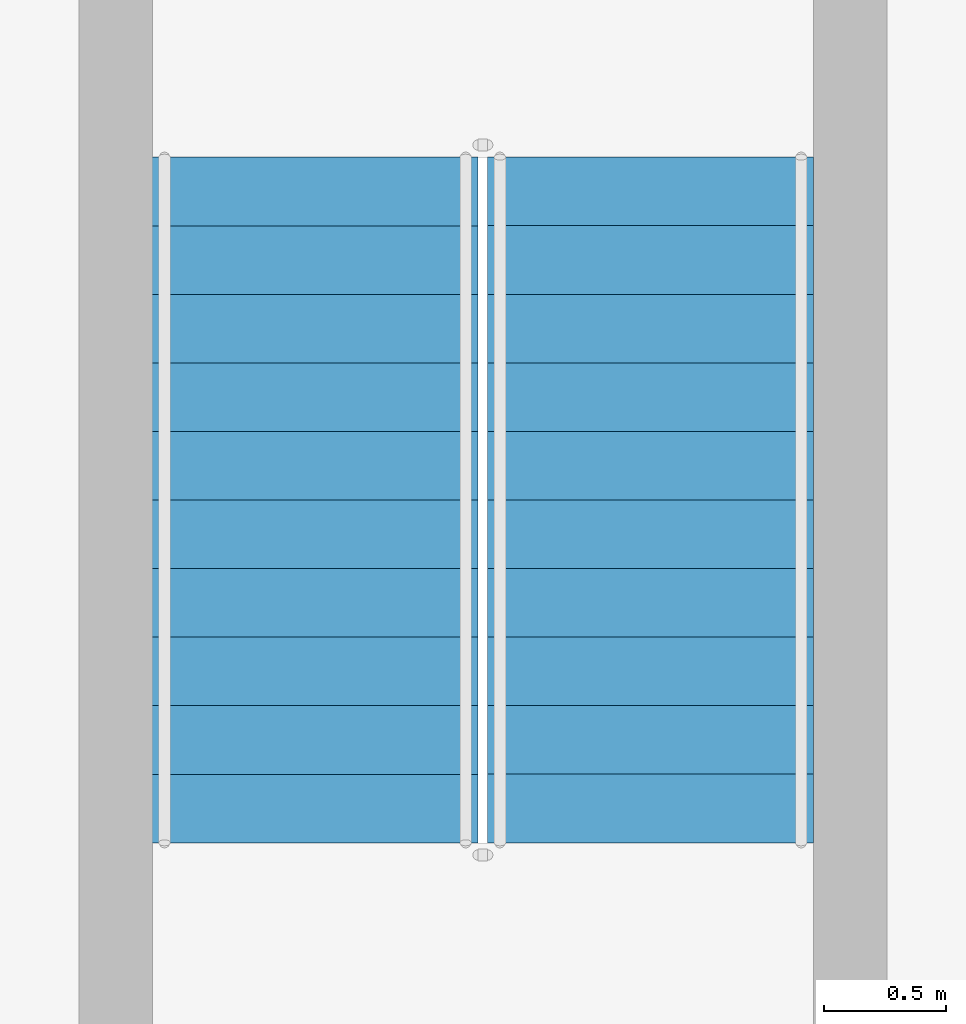
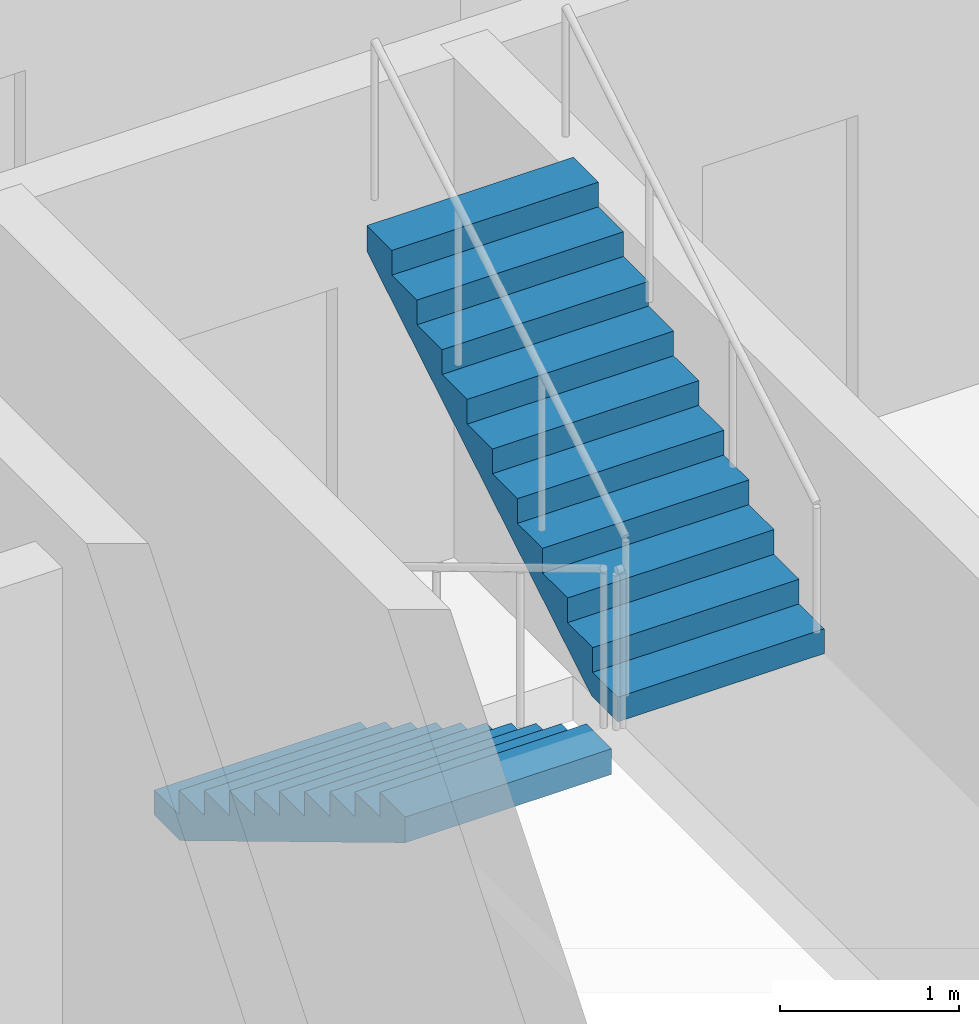
# One storey, part 23 of 33: 2 stair flights, 1 element without a shape of its own.
"""IFC4 building model written with IfcOpenShell, lengths in metres."""

import ifcopenshell
import ifcopenshell.guid

model = None  # the IFC model being written
_history = None  # IfcOwnerHistory: only IFC2X3 demands one
_inside = {}  # id of a spatial element -> (the spatial element, [elements in it])
_under = {}  # id of a project, library or spatial element -> (it, [spatial elements below it])
_declared = {}  # id of a project -> (the project, [libraries it declares])
_typed = {}  # id of a type object -> (the type object, [elements of that type])
_made_of = {}  # id of a material, layer set ... -> (it, [elements and type objects made of it])


def new_model(schema):
    """Start an empty IFC model of exactly this schema.

    Asked for "IFC4X3", IfcOpenShell would pick the latest addendum, in which some entities
    have other attributes; the version numbers below select the first issue.
    IFC2X3 requires an IfcOwnerHistory on every rooted entity: one is made here for all.
    """
    global model, _history
    if schema == "IFC4X3":
        model = ifcopenshell.file(schema_version=(4, 3, 0, 0))
    else:
        model = ifcopenshell.file(schema=schema)
    _inside.clear()
    _under.clear()
    _declared.clear()
    _typed.clear()
    _made_of.clear()
    _history = None
    if model.schema == "IFC2X3":
        org = make("IfcOrganization", Name="unknown")
        user = make(
            "IfcPersonAndOrganization",
            ThePerson=make("IfcPerson", FamilyName="unknown"),
            TheOrganization=org,
        )
        app = make(
            "IfcApplication",
            ApplicationDeveloper=org,
            Version="unknown",
            ApplicationFullName="unknown",
            ApplicationIdentifier="unknown",
        )
        _history = make(
            "IfcOwnerHistory",
            OwningUser=user,
            OwningApplication=app,
            ChangeAction="ADDED",
            CreationDate=0,
        )
    return model


def make(cls, **values):
    """One entity of the class cls with the attributes given. An attribute that is None is left unset."""
    return model.create_entity(
        cls, **{name: value for name, value in values.items() if value is not None}
    )


def rooted(cls, **values):
    """An entity with a GlobalId (a new one), such as an element, a storey or a relation."""
    return make(cls, GlobalId=ifcopenshell.guid.new(), OwnerHistory=_history, **values)


def si_unit(unit_type, name, prefix=None):
    """IfcSIUnit, for example si_unit("LENGTHUNIT", "METRE", prefix="MILLI")."""
    return make("IfcSIUnit", UnitType=unit_type, Prefix=prefix, Name=name)


def assignment(units):
    """IfcUnitAssignment: the units of a project."""
    return None if units is None else make("IfcUnitAssignment", Units=units)


def point(xyz):
    """IfcCartesianPoint."""
    return None if xyz is None else make("IfcCartesianPoint", Coordinates=xyz)


def direction(xyz):
    """IfcDirection."""
    return None if xyz is None else make("IfcDirection", DirectionRatios=xyz)


def frame(location, z_axis=None, x_axis=None):
    """IfcAxis2Placement3D, a coordinate frame: its origin and axes. An axis left out is left unset."""
    return make(
        "IfcAxis2Placement3D",
        Location=point(location),
        Axis=direction(z_axis),
        RefDirection=direction(x_axis),
    )


def origin():
    """The frame at (0, 0, 0) with its axes left unset."""
    return frame((0.0, 0.0, 0.0))


def place(relative_to, where):
    """IfcLocalPlacement: puts the frame where relative to a parent placement (None: the world)."""
    return make(
        "IfcLocalPlacement", PlacementRelTo=relative_to, RelativePlacement=where
    )


def context(
    kind, dimensions, precision=None, world=None, true_north=None, identifier=None
):
    """IfcGeometricRepresentationContext, for example the 3D "Model" context."""
    return make(
        "IfcGeometricRepresentationContext",
        ContextIdentifier=identifier,
        ContextType=kind,
        CoordinateSpaceDimension=dimensions,
        Precision=precision,
        WorldCoordinateSystem=world,
        TrueNorth=true_north,
    )


def subcontext(parent, identifier, kind, view, scale=None):
    """IfcGeometricRepresentationSubContext, for example "Body" below "Model"."""
    return make(
        "IfcGeometricRepresentationSubContext",
        ContextIdentifier=identifier,
        ContextType=kind,
        ParentContext=parent,
        TargetScale=scale,
        TargetView=view,
    )


def project(units=None, contexts=None):
    """IfcProject with its units and contexts."""
    return rooted(
        "IfcProject",
        Name="project",
        RepresentationContexts=contexts,
        UnitsInContext=assignment(units),
    )


def spatial(cls, under=None, at=None, **own):
    """A site, building, storey or space (cls), placed at a placement, below another one or the project."""
    s = rooted(cls, ObjectPlacement=at, **own)
    if under is not None:
        _under.setdefault(under.id(), (under, []))[1].append(s)
    return s


def point_list(points):
    """IfcCartesianPointList2D or 3D."""
    cls = (
        "IfcCartesianPointList2D" if len(points[0]) == 2 else "IfcCartesianPointList3D"
    )
    return make(cls, CoordList=points)


def triangles(points, corners, closed=None, point_numbers=None):
    """IfcTriangulatedFaceSet: each triangle names its three corners, points numbered from 1."""
    return make(
        "IfcTriangulatedFaceSet",
        Coordinates=point_list(points),
        Closed=closed,
        CoordIndex=corners,
        PnIndex=point_numbers,
    )


def shape(context_of_items, identifier, shape_type, items):
    """IfcShapeRepresentation: the items that make up one representation, for example the "Body"."""
    return make(
        "IfcShapeRepresentation",
        ContextOfItems=context_of_items,
        RepresentationIdentifier=identifier,
        RepresentationType=shape_type,
        Items=items,
    )


def source(mapping_origin, context_of_items, identifier, shape_type, items):
    """IfcRepresentationMap: a shape defined once, which mapped items show again and again."""
    return make(
        "IfcRepresentationMap",
        MappingOrigin=mapping_origin,
        MappedRepresentation=shape(context_of_items, identifier, shape_type, items),
    )


def transform(
    local_origin,
    x_axis=None,
    y_axis=None,
    z_axis=None,
    scale=None,
    scale2=None,
    scale3=None,
    uniform=True,
):
    """IfcCartesianTransformationOperator3D, or its non-uniform kind. x_axis, y_axis, z_axis: its Axis1, 2, 3."""
    if uniform:
        return make(
            "IfcCartesianTransformationOperator3D",
            Axis1=direction(x_axis),
            Axis2=direction(y_axis),
            LocalOrigin=point(local_origin),
            Scale=scale,
            Axis3=direction(z_axis),
        )
    return make(
        "IfcCartesianTransformationOperator3DnonUniform",
        Axis1=direction(x_axis),
        Axis2=direction(y_axis),
        LocalOrigin=point(local_origin),
        Scale=scale,
        Axis3=direction(z_axis),
        Scale2=scale2,
        Scale3=scale3,
    )


def mapped(mapping_source, mapping_target):
    """IfcMappedItem: shows the shape of a source again, moved by a transform."""
    return make(
        "IfcMappedItem", MappingSource=mapping_source, MappingTarget=mapping_target
    )


def material(Name=None, Category=None):
    """IfcMaterial."""
    return make("IfcMaterial", Name=Name, Category=Category)


def made_of(thing, what):
    """Note that an element or type object is made of a material, layer set ...; save() writes the relation."""
    if what is not None:
        _made_of.setdefault(what.id(), (what, []))[1].append(thing)
    return thing


def type_object(cls, material=None, **own):
    """A type object (cls), such as IfcWallType, which elements share."""
    return made_of(rooted(cls, **own), material)


def element(
    cls,
    number,
    at=None,
    inside=None,
    cuts=None,
    type_object=None,
    material=None,
    context=None,
    identifier="Body",
    shape_type=None,
    held_by="IfcProductDefinitionShape",
    body=None,
    shapes=None,
    **own,
):
    """One element of the class cls, such as IfcWall. Its Tag is "e" and its number.

    at: its placement. inside: the storey or other place that contains it. cuts: it is an
    opening in that element (IfcRelVoidsElement). A single representation is given by context,
    identifier, shape_type and body (its items); several are given by shapes. held_by: the class
    of the entity that holds the representations. save() writes the other relations.
    """
    e = rooted(cls, Tag="e%d" % number, ObjectPlacement=at, **own)
    if body is not None:
        shapes = [shape(context, identifier, shape_type, body)]
    if shapes is not None:
        e.Representation = make(held_by, Representations=shapes)
    if inside is not None:
        _inside.setdefault(inside.id(), (inside, []))[1].append(e)
    if cuts is not None:
        rooted(
            "IfcRelVoidsElement", RelatingBuildingElement=cuts, RelatedOpeningElement=e
        )
    if type_object is not None:
        _typed.setdefault(type_object.id(), (type_object, []))[1].append(e)
    return made_of(e, material)


def aggregate(whole, parts):
    """IfcRelAggregates: a whole, such as a stair, and the parts it consists of."""
    return rooted("IfcRelAggregates", RelatingObject=whole, RelatedObjects=parts)


def save(model, path):
    """Write the relations noted so far, then the file.

    IfcRelAggregates (storeys below a building ...), IfcRelContainedInSpatialStructure (elements
    in a storey), IfcRelDefinesByType, IfcRelAssociatesMaterial and IfcRelDeclares: one each for
    every whole, place, type object, material and project.
    """
    for whole, parts in _under.values():
        aggregate(whole, parts)
    for where, things in _inside.values():
        rooted(
            "IfcRelContainedInSpatialStructure",
            RelatedElements=things,
            RelatingStructure=where,
        )
    for kind, things in _typed.values():
        rooted("IfcRelDefinesByType", RelatedObjects=things, RelatingType=kind)
    for what, things in _made_of.values():
        rooted("IfcRelAssociatesMaterial", RelatedObjects=things, RelatingMaterial=what)
    for by, libraries in _declared.values():
        rooted("IfcRelDeclares", RelatingContext=by, RelatedDefinitions=libraries)
    model.write(path)


model = new_model("IFC4")

# Units and contexts
model_context = context("Model", 3, precision=1e-05, world=origin(), true_north=direction((0.0, 1.0)))
body_context = subcontext(model_context, "Body", "Model", "MODEL_VIEW")
ifc_project = project(units=[si_unit("LENGTHUNIT", "METRE"), si_unit("AREAUNIT", "SQUARE_METRE"), si_unit("VOLUMEUNIT", "CUBIC_METRE"), si_unit("PLANEANGLEUNIT", "RADIAN"), si_unit("MASSUNIT", "GRAM", prefix="KILO")], contexts=[model_context])

# Site, building, storey
site_placement = place(None, origin())
site = spatial("IfcSite", under=ifc_project, at=site_placement, CompositionType="ELEMENT")
building_placement = place(site_placement, origin())
building = spatial("IfcBuilding", under=site, at=building_placement, Name="Ogive Portal Towers", CompositionType="ELEMENT")
storey_placement = place(building_placement, frame((0.0, 0.0, 98.199951171875)))
storey = spatial("IfcBuildingStorey", under=building, at=storey_placement, Name="L23", CompositionType="ELEMENT", Elevation=98.199951171875)

# Stair, stair flights
ifc_material = material(Name="Concrete C40/50", Category="concrete")
stair_type = type_object("IfcStairType", Name="INT-STAIR", PredefinedType="HALF_TURN_STAIR", material=ifc_material)
stair_placement = place(storey_placement, origin())
stair = element("IfcStair", 1, at=stair_placement, inside=storey, type_object=stair_type, Name="L23 Exit Stair ST-A4", PredefinedType="HALF_TURN_STAIR")
stair_flight_type = type_object("IfcStairFlightType", Name="INT-FLIGHT", PredefinedType="STRAIGHT", material=ifc_material)
shared_shape = source(origin(), body_context, "Body", "Tessellation", [
    triangles([(0.0, -0.6650390625, 0.0), (0.0, -0.384765625, 0.0), (0.0, -0.197021484375, 0.0), (0.0, -0.0830078125, 0.0), (0.0, -0.024658203125, 0.0), (0.0, -0.003173828125, 0.0), (0.0, 0.0, 0.0), (0.0, 0.003173828125, 0.0), (0.0, 0.024658203125, 0.0), (0.0, 0.0830078125, 0.0), (0.0, 0.197021484375, 0.0), (0.0, 0.384765625, 0.0), (0.0, 0.6650390625, 0.0), (0.0, -0.6650390625, 0.168212890625), (0.0, -0.384765625, 0.168212890625), (0.0, -0.197021484375, 0.168212890625), (0.0, -0.0830078125, 0.168212890625), (0.0, -0.024658203125, 0.168212890625), (0.0, -0.003173828125, 0.168212890625), (0.0, 0.0, 0.168212890625), (0.0, 0.003173828125, 0.168212890625), (0.0, 0.024658203125, 0.168212890625), (0.0, 0.0830078125, 0.168212890625), (0.0, 0.197021484375, 0.168212890625), (0.0, 0.384765625, 0.168212890625), (0.0, 0.6650390625, 0.168212890625), (0.280029296875, -0.6650390625, 0.168212890625), (0.280029296875, -0.384765625, 0.168212890625), (0.280029296875, -0.197021484375, 0.168212890625), (0.280029296875, -0.0830078125, 0.168212890625), (0.280029296875, -0.024658203125, 0.168212890625), (0.280029296875, -0.003173828125, 0.168212890625), (0.280029296875, 0.0, 0.168212890625), (0.280029296875, 0.003173828125, 0.168212890625), (0.280029296875, 0.024658203125, 0.168212890625), (0.280029296875, 0.0830078125, 0.168212890625), (0.280029296875, 0.197021484375, 0.168212890625), (0.280029296875, 0.384765625, 0.168212890625), (0.280029296875, 0.6650390625, 0.168212890625), (0.280029296875, -0.6650390625, 0.33642578125), (0.280029296875, -0.384765625, 0.33642578125), (0.280029296875, -0.197021484375, 0.33642578125), (0.280029296875, -0.0830078125, 0.33642578125), (0.280029296875, -0.024658203125, 0.33642578125), (0.280029296875, -0.003173828125, 0.33642578125), (0.280029296875, 0.0, 0.33642578125), (0.280029296875, 0.003173828125, 0.33642578125), (0.280029296875, 0.024658203125, 0.33642578125), (0.280029296875, 0.0830078125, 0.33642578125), (0.280029296875, 0.197021484375, 0.33642578125), (0.280029296875, 0.384765625, 0.33642578125), (0.280029296875, 0.6650390625, 0.33642578125), (0.56005859375, -0.6650390625, 0.33642578125), (0.56005859375, -0.384765625, 0.33642578125), (0.56005859375, -0.197021484375, 0.33642578125), (0.56005859375, -0.0830078125, 0.33642578125), (0.56005859375, -0.024658203125, 0.33642578125), (0.56005859375, -0.003173828125, 0.33642578125), (0.56005859375, 0.0, 0.33642578125), (0.56005859375, 0.003173828125, 0.33642578125), (0.56005859375, 0.024658203125, 0.33642578125), (0.56005859375, 0.0830078125, 0.33642578125), (0.56005859375, 0.197021484375, 0.33642578125), (0.56005859375, 0.384765625, 0.33642578125), (0.56005859375, 0.6650390625, 0.33642578125), (0.56005859375, -0.6650390625, 0.504638671875), (0.56005859375, -0.384765625, 0.504638671875), (0.56005859375, -0.197021484375, 0.504638671875), (0.56005859375, -0.0830078125, 0.504638671875), (0.56005859375, -0.024658203125, 0.504638671875), (0.56005859375, -0.003173828125, 0.504638671875), (0.56005859375, 0.0, 0.504638671875), (0.56005859375, 0.003173828125, 0.504638671875), (0.56005859375, 0.024658203125, 0.504638671875), (0.56005859375, 0.0830078125, 0.504638671875), (0.56005859375, 0.197021484375, 0.504638671875), (0.56005859375, 0.384765625, 0.504638671875), (0.56005859375, 0.6650390625, 0.504638671875), (0.840087890625, -0.6650390625, 0.504638671875), (0.840087890625, -0.384765625, 0.504638671875), (0.840087890625, -0.197021484375, 0.504638671875), (0.840087890625, -0.0830078125, 0.504638671875), (0.840087890625, -0.024658203125, 0.504638671875), (0.840087890625, -0.003173828125, 0.504638671875), (0.840087890625, 0.0, 0.504638671875), (0.840087890625, 0.003173828125, 0.504638671875), (0.840087890625, 0.024658203125, 0.504638671875), (0.840087890625, 0.0830078125, 0.504638671875), (0.840087890625, 0.197021484375, 0.504638671875), (0.840087890625, 0.384765625, 0.504638671875), (0.840087890625, 0.6650390625, 0.504638671875), (0.840087890625, -0.6650390625, 0.672607421875), (0.840087890625, -0.384765625, 0.672607421875), (0.840087890625, -0.197021484375, 0.672607421875), (0.840087890625, -0.0830078125, 0.672607421875), (0.840087890625, -0.024658203125, 0.672607421875), (0.840087890625, -0.003173828125, 0.672607421875), (0.840087890625, 0.0, 0.672607421875), (0.840087890625, 0.003173828125, 0.672607421875), (0.840087890625, 0.024658203125, 0.672607421875), (0.840087890625, 0.0830078125, 0.672607421875), (0.840087890625, 0.197021484375, 0.672607421875), (0.840087890625, 0.384765625, 0.672607421875), (0.840087890625, 0.6650390625, 0.672607421875), (1.1201171875, -0.6650390625, 0.672607421875), (1.1201171875, -0.384765625, 0.672607421875), (1.1201171875, -0.197021484375, 0.672607421875), (1.1201171875, -0.0830078125, 0.672607421875), (1.1201171875, -0.024658203125, 0.672607421875), (1.1201171875, -0.003173828125, 0.672607421875), (1.1201171875, 0.0, 0.672607421875), (1.1201171875, 0.003173828125, 0.672607421875), (1.1201171875, 0.024658203125, 0.672607421875), (1.1201171875, 0.0830078125, 0.672607421875), (1.1201171875, 0.197021484375, 0.672607421875), (1.1201171875, 0.384765625, 0.672607421875), (1.1201171875, 0.6650390625, 0.672607421875), (1.1201171875, -0.6650390625, 0.8408203125), (1.1201171875, -0.384765625, 0.8408203125), (1.1201171875, -0.197021484375, 0.8408203125), (1.1201171875, -0.0830078125, 0.8408203125), (1.1201171875, -0.024658203125, 0.8408203125), (1.1201171875, -0.003173828125, 0.8408203125), (1.1201171875, 0.0, 0.8408203125), (1.1201171875, 0.003173828125, 0.8408203125), (1.1201171875, 0.024658203125, 0.8408203125), (1.1201171875, 0.0830078125, 0.8408203125), (1.1201171875, 0.197021484375, 0.8408203125), (1.1201171875, 0.384765625, 0.8408203125), (1.1201171875, 0.6650390625, 0.8408203125), (1.39990234375, -0.6650390625, 0.8408203125), (1.39990234375, -0.384765625, 0.8408203125), (1.39990234375, -0.197021484375, 0.8408203125), (1.39990234375, -0.0830078125, 0.8408203125), (1.39990234375, -0.024658203125, 0.8408203125), (1.39990234375, -0.003173828125, 0.8408203125), (1.39990234375, 0.0, 0.8408203125), (1.39990234375, 0.003173828125, 0.8408203125), (1.39990234375, 0.024658203125, 0.8408203125), (1.39990234375, 0.0830078125, 0.8408203125), (1.39990234375, 0.197021484375, 0.8408203125), (1.39990234375, 0.384765625, 0.8408203125), (1.39990234375, 0.6650390625, 0.8408203125), (1.39990234375, -0.6650390625, 1.009033203125), (1.39990234375, -0.384765625, 1.009033203125), (1.39990234375, -0.197021484375, 1.009033203125), (1.39990234375, -0.0830078125, 1.009033203125), (1.39990234375, -0.024658203125, 1.009033203125), (1.39990234375, -0.003173828125, 1.009033203125), (1.39990234375, 0.0, 1.009033203125), (1.39990234375, 0.003173828125, 1.009033203125), (1.39990234375, 0.024658203125, 1.009033203125), (1.39990234375, 0.0830078125, 1.009033203125), (1.39990234375, 0.197021484375, 1.009033203125), (1.39990234375, 0.384765625, 1.009033203125), (1.39990234375, 0.6650390625, 1.009033203125), (1.679931640625, -0.6650390625, 1.009033203125), (1.679931640625, -0.384765625, 1.009033203125), (1.679931640625, -0.197021484375, 1.009033203125), (1.679931640625, -0.0830078125, 1.009033203125), (1.679931640625, -0.024658203125, 1.009033203125), (1.679931640625, -0.003173828125, 1.009033203125), (1.679931640625, 0.0, 1.009033203125), (1.679931640625, 0.003173828125, 1.009033203125), (1.679931640625, 0.024658203125, 1.009033203125), (1.679931640625, 0.0830078125, 1.009033203125), (1.679931640625, 0.197021484375, 1.009033203125), (1.679931640625, 0.384765625, 1.009033203125), (1.679931640625, 0.6650390625, 1.009033203125), (1.679931640625, -0.6650390625, 1.17724609375), (1.679931640625, -0.384765625, 1.17724609375), (1.679931640625, -0.197021484375, 1.17724609375), (1.679931640625, -0.0830078125, 1.17724609375), (1.679931640625, -0.024658203125, 1.17724609375), (1.679931640625, -0.003173828125, 1.17724609375), (1.679931640625, 0.0, 1.17724609375), (1.679931640625, 0.003173828125, 1.17724609375), (1.679931640625, 0.024658203125, 1.17724609375), (1.679931640625, 0.0830078125, 1.17724609375), (1.679931640625, 0.197021484375, 1.17724609375), (1.679931640625, 0.384765625, 1.17724609375), (1.679931640625, 0.6650390625, 1.17724609375), (1.9599609375, -0.6650390625, 1.17724609375), (1.9599609375, -0.384765625, 1.17724609375), (1.9599609375, -0.197021484375, 1.17724609375), (1.9599609375, -0.0830078125, 1.17724609375), (1.9599609375, -0.024658203125, 1.17724609375), (1.9599609375, -0.003173828125, 1.17724609375), (1.9599609375, 0.0, 1.17724609375), (1.9599609375, 0.003173828125, 1.17724609375), (1.9599609375, 0.024658203125, 1.17724609375), (1.9599609375, 0.0830078125, 1.17724609375), (1.9599609375, 0.197021484375, 1.17724609375), (1.9599609375, 0.384765625, 1.17724609375), (1.9599609375, 0.6650390625, 1.17724609375), (1.9599609375, -0.6650390625, 1.345458984375), (1.9599609375, -0.384765625, 1.345458984375), (1.9599609375, -0.197021484375, 1.345458984375), (1.9599609375, -0.0830078125, 1.345458984375), (1.9599609375, -0.024658203125, 1.345458984375), (1.9599609375, -0.003173828125, 1.345458984375), (1.9599609375, 0.0, 1.345458984375), (1.9599609375, 0.003173828125, 1.345458984375), (1.9599609375, 0.024658203125, 1.345458984375), (1.9599609375, 0.0830078125, 1.345458984375), (1.9599609375, 0.197021484375, 1.345458984375), (1.9599609375, 0.384765625, 1.345458984375), (1.9599609375, 0.6650390625, 1.345458984375), (2.239990234375, -0.6650390625, 1.345458984375), (2.239990234375, -0.384765625, 1.345458984375), (2.239990234375, -0.197021484375, 1.345458984375), (2.239990234375, -0.0830078125, 1.345458984375), (2.239990234375, -0.024658203125, 1.345458984375), (2.239990234375, -0.003173828125, 1.345458984375), (2.239990234375, 0.0, 1.345458984375), (2.239990234375, 0.003173828125, 1.345458984375), (2.239990234375, 0.024658203125, 1.345458984375), (2.239990234375, 0.0830078125, 1.345458984375), (2.239990234375, 0.197021484375, 1.345458984375), (2.239990234375, 0.384765625, 1.345458984375), (2.239990234375, 0.6650390625, 1.345458984375), (2.239990234375, -0.6650390625, 1.513671875), (2.239990234375, -0.384765625, 1.513671875), (2.239990234375, -0.197021484375, 1.513671875), (2.239990234375, -0.0830078125, 1.513671875), (2.239990234375, -0.024658203125, 1.513671875), (2.239990234375, -0.003173828125, 1.513671875), (2.239990234375, 0.0, 1.513671875), (2.239990234375, 0.003173828125, 1.513671875), (2.239990234375, 0.024658203125, 1.513671875), (2.239990234375, 0.0830078125, 1.513671875), (2.239990234375, 0.197021484375, 1.513671875), (2.239990234375, 0.384765625, 1.513671875), (2.239990234375, 0.6650390625, 1.513671875), (2.52001953125, -0.6650390625, 1.513671875), (2.52001953125, -0.384765625, 1.513671875), (2.52001953125, -0.197021484375, 1.513671875), (2.52001953125, -0.0830078125, 1.513671875), (2.52001953125, -0.024658203125, 1.513671875), (2.52001953125, -0.003173828125, 1.513671875), (2.52001953125, 0.0, 1.513671875), (2.52001953125, 0.003173828125, 1.513671875), (2.52001953125, 0.024658203125, 1.513671875), (2.52001953125, 0.0830078125, 1.513671875), (2.52001953125, 0.197021484375, 1.513671875), (2.52001953125, 0.384765625, 1.513671875), (2.52001953125, 0.6650390625, 1.513671875), (2.52001953125, -0.6650390625, 1.681884765625), (2.52001953125, -0.384765625, 1.681884765625), (2.52001953125, -0.197021484375, 1.681884765625), (2.52001953125, -0.0830078125, 1.681884765625), (2.52001953125, -0.024658203125, 1.681884765625), (2.52001953125, -0.003173828125, 1.681884765625), (2.52001953125, 0.0, 1.681884765625), (2.52001953125, 0.003173828125, 1.681884765625), (2.52001953125, 0.024658203125, 1.681884765625), (2.52001953125, 0.0830078125, 1.681884765625), (2.52001953125, 0.197021484375, 1.681884765625), (2.52001953125, 0.384765625, 1.681884765625), (2.52001953125, 0.6650390625, 1.681884765625), (2.800048828125, -0.6650390625, 1.681884765625), (2.800048828125, -0.384765625, 1.681884765625), (2.800048828125, -0.197021484375, 1.681884765625), (2.800048828125, -0.0830078125, 1.681884765625), (2.800048828125, -0.024658203125, 1.681884765625), (2.800048828125, -0.003173828125, 1.681884765625), (2.800048828125, 0.0, 1.681884765625), (2.800048828125, 0.003173828125, 1.681884765625), (2.800048828125, 0.024658203125, 1.681884765625), (2.800048828125, 0.0830078125, 1.681884765625), (2.800048828125, 0.197021484375, 1.681884765625), (2.800048828125, 0.384765625, 1.681884765625), (2.800048828125, 0.6650390625, 1.681884765625), (2.800048828125, -0.6650390625, 1.5068359375), (2.800048828125, -0.384765625, 1.5068359375), (2.800048828125, -0.197021484375, 1.5068359375), (2.800048828125, -0.0830078125, 1.5068359375), (2.800048828125, -0.024658203125, 1.5068359375), (2.800048828125, -0.003173828125, 1.5068359375), (2.800048828125, 0.0, 1.5068359375), (2.800048828125, 0.003173828125, 1.5068359375), (2.800048828125, 0.024658203125, 1.5068359375), (2.800048828125, 0.0830078125, 1.5068359375), (2.800048828125, 0.197021484375, 1.5068359375), (2.800048828125, 0.384765625, 1.5068359375), (2.800048828125, 0.6650390625, 1.5068359375), (0.291015625, -0.6650390625, 0.0), (0.291015625, -0.384765625, 0.0), (0.291015625, -0.197021484375, 0.0), (0.291015625, -0.0830078125, 0.0), (0.291015625, -0.024658203125, 0.0), (0.291015625, -0.003173828125, 0.0), (0.291015625, 0.0, 0.0), (0.291015625, 0.003173828125, 0.0), (0.291015625, 0.024658203125, 0.0), (0.291015625, 0.0830078125, 0.0), (0.291015625, 0.197021484375, 0.0), (0.291015625, 0.384765625, 0.0), (0.291015625, 0.6650390625, 0.0)], [[1, 14, 15], [1, 15, 2], [2, 15, 16], [2, 16, 3], [3, 16, 17], [3, 17, 4], [4, 17, 18], [4, 18, 5], [5, 18, 19], [5, 19, 6], [6, 19, 20], [6, 20, 7], [7, 20, 21], [7, 21, 8], [8, 21, 22], [8, 22, 9], [9, 22, 23], [9, 23, 10], [10, 23, 24], [10, 24, 11], [11, 24, 25], [11, 25, 12], [12, 25, 26], [12, 26, 13], [14, 27, 28], [14, 28, 15], [15, 28, 29], [15, 29, 16], [16, 29, 30], [16, 30, 17], [17, 30, 31], [17, 31, 18], [18, 31, 32], [18, 32, 19], [19, 32, 33], [19, 33, 20], [20, 33, 34], [20, 34, 21], [21, 34, 35], [21, 35, 22], [22, 35, 36], [22, 36, 23], [23, 36, 37], [23, 37, 24], [24, 37, 38], [24, 38, 25], [25, 38, 39], [25, 39, 26], [27, 40, 41], [27, 41, 28], [28, 41, 42], [28, 42, 29], [29, 42, 43], [29, 43, 30], [30, 43, 44], [30, 44, 31], [31, 44, 45], [31, 45, 32], [32, 45, 46], [32, 46, 33], [33, 46, 47], [33, 47, 34], [34, 47, 48], [34, 48, 35], [35, 48, 49], [35, 49, 36], [36, 49, 50], [36, 50, 37], [37, 50, 51], [37, 51, 38], [38, 51, 52], [38, 52, 39], [40, 53, 54], [40, 54, 41], [41, 54, 55], [41, 55, 42], [42, 55, 56], [42, 56, 43], [43, 56, 57], [43, 57, 44], [44, 57, 58], [44, 58, 45], [45, 58, 59], [45, 59, 46], [46, 59, 60], [46, 60, 47], [47, 60, 61], [47, 61, 48], [48, 61, 62], [48, 62, 49], [49, 62, 63], [49, 63, 50], [50, 63, 64], [50, 64, 51], [51, 64, 65], [51, 65, 52], [53, 66, 67], [53, 67, 54], [54, 67, 68], [54, 68, 55], [55, 68, 69], [55, 69, 56], [56, 69, 70], [56, 70, 57], [57, 70, 71], [57, 71, 58], [58, 71, 72], [58, 72, 59], [59, 72, 73], [59, 73, 60], [60, 73, 74], [60, 74, 61], [61, 74, 75], [61, 75, 62], [62, 75, 76], [62, 76, 63], [63, 76, 77], [63, 77, 64], [64, 77, 78], [64, 78, 65], [66, 79, 80], [66, 80, 67], [67, 80, 81], [67, 81, 68], [68, 81, 82], [68, 82, 69], [69, 82, 83], [69, 83, 70], [70, 83, 84], [70, 84, 71], [71, 84, 85], [71, 85, 72], [72, 85, 86], [72, 86, 73], [73, 86, 87], [73, 87, 74], [74, 87, 88], [74, 88, 75], [75, 88, 89], [75, 89, 76], [76, 89, 90], [76, 90, 77], [77, 90, 91], [77, 91, 78], [79, 92, 93], [79, 93, 80], [80, 93, 94], [80, 94, 81], [81, 94, 95], [81, 95, 82], [82, 95, 96], [82, 96, 83], [83, 96, 97], [83, 97, 84], [84, 97, 98], [84, 98, 85], [85, 98, 99], [85, 99, 86], [86, 99, 100], [86, 100, 87], [87, 100, 101], [87, 101, 88], [88, 101, 102], [88, 102, 89], [89, 102, 103], [89, 103, 90], [90, 103, 104], [90, 104, 91], [92, 105, 106], [92, 106, 93], [93, 106, 107], [93, 107, 94], [94, 107, 108], [94, 108, 95], [95, 108, 109], [95, 109, 96], [96, 109, 110], [96, 110, 97], [97, 110, 111], [97, 111, 98], [98, 111, 112], [98, 112, 99], [99, 112, 113], [99, 113, 100], [100, 113, 114], [100, 114, 101], [101, 114, 115], [101, 115, 102], [102, 115, 116], [102, 116, 103], [103, 116, 117], [103, 117, 104], [105, 118, 119], [105, 119, 106], [106, 119, 120], [106, 120, 107], [107, 120, 121], [107, 121, 108], [108, 121, 122], [108, 122, 109], [109, 122, 123], [109, 123, 110], [110, 123, 124], [110, 124, 111], [111, 124, 125], [111, 125, 112], [112, 125, 126], [112, 126, 113], [113, 126, 127], [113, 127, 114], [114, 127, 128], [114, 128, 115], [115, 128, 129], [115, 129, 116], [116, 129, 130], [116, 130, 117], [118, 131, 132], [118, 132, 119], [119, 132, 133], [119, 133, 120], [120, 133, 134], [120, 134, 121], [121, 134, 135], [121, 135, 122], [122, 135, 136], [122, 136, 123], [123, 136, 137], [123, 137, 124], [124, 137, 138], [124, 138, 125], [125, 138, 139], [125, 139, 126], [126, 139, 140], [126, 140, 127], [127, 140, 141], [127, 141, 128], [128, 141, 142], [128, 142, 129], [129, 142, 143], [129, 143, 130], [131, 144, 145], [131, 145, 132], [132, 145, 146], [132, 146, 133], [133, 146, 147], [133, 147, 134], [134, 147, 148], [134, 148, 135], [135, 148, 149], [135, 149, 136], [136, 149, 150], [136, 150, 137], [137, 150, 151], [137, 151, 138], [138, 151, 152], [138, 152, 139], [139, 152, 153], [139, 153, 140], [140, 153, 154], [140, 154, 141], [141, 154, 155], [141, 155, 142], [142, 155, 156], [142, 156, 143], [144, 157, 158], [144, 158, 145], [145, 158, 159], [145, 159, 146], [146, 159, 160], [146, 160, 147], [147, 160, 161], [147, 161, 148], [148, 161, 162], [148, 162, 149], [149, 162, 163], [149, 163, 150], [150, 163, 164], [150, 164, 151], [151, 164, 165], [151, 165, 152], [152, 165, 166], [152, 166, 153], [153, 166, 167], [153, 167, 154], [154, 167, 168], [154, 168, 155], [155, 168, 169], [155, 169, 156], [157, 170, 171], [157, 171, 158], [158, 171, 172], [158, 172, 159], [159, 172, 173], [159, 173, 160], [160, 173, 174], [160, 174, 161], [161, 174, 175], [161, 175, 162], [162, 175, 176], [162, 176, 163], [163, 176, 177], [163, 177, 164], [164, 177, 178], [164, 178, 165], [165, 178, 179], [165, 179, 166], [166, 179, 180], [166, 180, 167], [167, 180, 181], [167, 181, 168], [168, 181, 182], [168, 182, 169], [170, 183, 184], [170, 184, 171], [171, 184, 185], [171, 185, 172], [172, 185, 186], [172, 186, 173], [173, 186, 187], [173, 187, 174], [174, 187, 188], [174, 188, 175], [175, 188, 189], [175, 189, 176], [176, 189, 190], [176, 190, 177], [177, 190, 191], [177, 191, 178], [178, 191, 192], [178, 192, 179], [179, 192, 193], [179, 193, 180], [180, 193, 194], [180, 194, 181], [181, 194, 195], [181, 195, 182], [183, 196, 197], [183, 197, 184], [184, 197, 198], [184, 198, 185], [185, 198, 199], [185, 199, 186], [186, 199, 200], [186, 200, 187], [187, 200, 201], [187, 201, 188], [188, 201, 202], [188, 202, 189], [189, 202, 203], [189, 203, 190], [190, 203, 204], [190, 204, 191], [191, 204, 205], [191, 205, 192], [192, 205, 206], [192, 206, 193], [193, 206, 207], [193, 207, 194], [194, 207, 208], [194, 208, 195], [196, 209, 210], [196, 210, 197], [197, 210, 211], [197, 211, 198], [198, 211, 212], [198, 212, 199], [199, 212, 213], [199, 213, 200], [200, 213, 214], [200, 214, 201], [201, 214, 215], [201, 215, 202], [202, 215, 216], [202, 216, 203], [203, 216, 217], [203, 217, 204], [204, 217, 218], [204, 218, 205], [205, 218, 219], [205, 219, 206], [206, 219, 220], [206, 220, 207], [207, 220, 221], [207, 221, 208], [209, 222, 223], [209, 223, 210], [210, 223, 224], [210, 224, 211], [211, 224, 225], [211, 225, 212], [212, 225, 226], [212, 226, 213], [213, 226, 227], [213, 227, 214], [214, 227, 228], [214, 228, 215], [215, 228, 229], [215, 229, 216], [216, 229, 230], [216, 230, 217], [217, 230, 231], [217, 231, 218], [218, 231, 232], [218, 232, 219], [219, 232, 233], [219, 233, 220], [220, 233, 234], [220, 234, 221], [222, 235, 236], [222, 236, 223], [223, 236, 237], [223, 237, 224], [224, 237, 238], [224, 238, 225], [225, 238, 239], [225, 239, 226], [226, 239, 240], [226, 240, 227], [227, 240, 241], [227, 241, 228], [228, 241, 242], [228, 242, 229], [229, 242, 243], [229, 243, 230], [230, 243, 244], [230, 244, 231], [231, 244, 245], [231, 245, 232], [232, 245, 246], [232, 246, 233], [233, 246, 247], [233, 247, 234], [235, 248, 249], [235, 249, 236], [236, 249, 250], [236, 250, 237], [237, 250, 251], [237, 251, 238], [238, 251, 252], [238, 252, 239], [239, 252, 253], [239, 253, 240], [240, 253, 254], [240, 254, 241], [241, 254, 255], [241, 255, 242], [242, 255, 256], [242, 256, 243], [243, 256, 257], [243, 257, 244], [244, 257, 258], [244, 258, 245], [245, 258, 259], [245, 259, 246], [246, 259, 260], [246, 260, 247], [248, 261, 262], [248, 262, 249], [249, 262, 263], [249, 263, 250], [250, 263, 264], [250, 264, 251], [251, 264, 265], [251, 265, 252], [252, 265, 266], [252, 266, 253], [253, 266, 267], [253, 267, 254], [254, 267, 268], [254, 268, 255], [255, 268, 269], [255, 269, 256], [256, 269, 270], [256, 270, 257], [257, 270, 271], [257, 271, 258], [258, 271, 272], [258, 272, 259], [259, 272, 273], [259, 273, 260], [261, 274, 275], [261, 275, 262], [262, 275, 276], [262, 276, 263], [263, 276, 277], [263, 277, 264], [264, 277, 278], [264, 278, 265], [265, 278, 279], [265, 279, 266], [266, 279, 280], [266, 280, 267], [267, 280, 281], [267, 281, 268], [268, 281, 282], [268, 282, 269], [269, 282, 283], [269, 283, 270], [270, 283, 284], [270, 284, 271], [271, 284, 285], [271, 285, 272], [272, 285, 286], [272, 286, 273], [274, 287, 288], [274, 288, 275], [275, 288, 289], [275, 289, 276], [276, 289, 290], [276, 290, 277], [277, 290, 291], [277, 291, 278], [278, 291, 292], [278, 292, 279], [279, 292, 293], [279, 293, 280], [280, 293, 294], [280, 294, 281], [281, 294, 295], [281, 295, 282], [282, 295, 296], [282, 296, 283], [283, 296, 297], [283, 297, 284], [284, 297, 298], [284, 298, 285], [285, 298, 299], [285, 299, 286], [287, 1, 2], [287, 2, 288], [288, 2, 3], [288, 3, 289], [289, 3, 4], [289, 4, 290], [290, 4, 5], [290, 5, 291], [291, 5, 6], [291, 6, 292], [292, 6, 7], [292, 7, 293], [293, 7, 8], [293, 8, 294], [294, 8, 9], [294, 9, 295], [295, 9, 10], [295, 10, 296], [296, 10, 11], [296, 11, 297], [297, 11, 12], [297, 12, 298], [298, 12, 13], [298, 13, 299], [1, 287, 274], [13, 286, 299], [274, 261, 248], [286, 260, 273], [274, 248, 235], [286, 247, 260], [274, 235, 222], [286, 234, 247], [274, 222, 209], [286, 221, 234], [209, 196, 183], [221, 195, 208], [274, 209, 183], [286, 195, 221], [183, 170, 157], [195, 169, 182], [274, 183, 157], [286, 169, 195], [157, 144, 131], [169, 143, 156], [274, 157, 131], [286, 143, 169], [131, 118, 105], [143, 117, 130], [274, 131, 105], [286, 117, 143], [1, 274, 105], [13, 117, 286], [105, 92, 79], [117, 91, 104], [79, 66, 53], [91, 65, 78], [105, 79, 53], [117, 65, 91], [53, 40, 27], [65, 39, 52], [105, 53, 27], [117, 39, 65], [1, 105, 27], [13, 39, 117], [27, 14, 1], [39, 13, 26]], closed=True),
])
stair_flight_1_placement = place(storey_placement, frame((87.6650390625, 29.169921875, 0.0), z_axis=(0.0, 0.0, 1.0), x_axis=(0.0, -1.0, 0.0)))
stair_flight_1 = element("IfcStairFlight", 2, at=stair_flight_1_placement, type_object=stair_flight_type, Name="ST-A4 flight 1", NumberOfRisers=11, NumberOfTreads=10, PredefinedType="STRAIGHT", RiserHeight=0.168181818, TreadLength=0.28, context=body_context, shape_type="MappedRepresentation", body=[
    mapped(shared_shape, transform((0.0, 0.0, 0.0), scale=1.0)),
])
stair_flight_2_placement = place(storey_placement, frame((89.034912109375, 26.3701171875, 1.85009765625), z_axis=(0.0, 0.0, 1.0), x_axis=(0.0, 1.0, 0.0)))
stair_flight_2 = element("IfcStairFlight", 3, at=stair_flight_2_placement, type_object=stair_flight_type, Name="ST-A4 flight 2", NumberOfRisers=11, NumberOfTreads=10, PredefinedType="STRAIGHT", RiserHeight=0.168181818, TreadLength=0.28, context=body_context, shape_type="MappedRepresentation", body=[
    mapped(shared_shape, transform((0.0, 0.0, 0.0), scale=1.0)),
])
aggregate(stair, [stair_flight_1, stair_flight_2])

save(model, "model.ifc")
